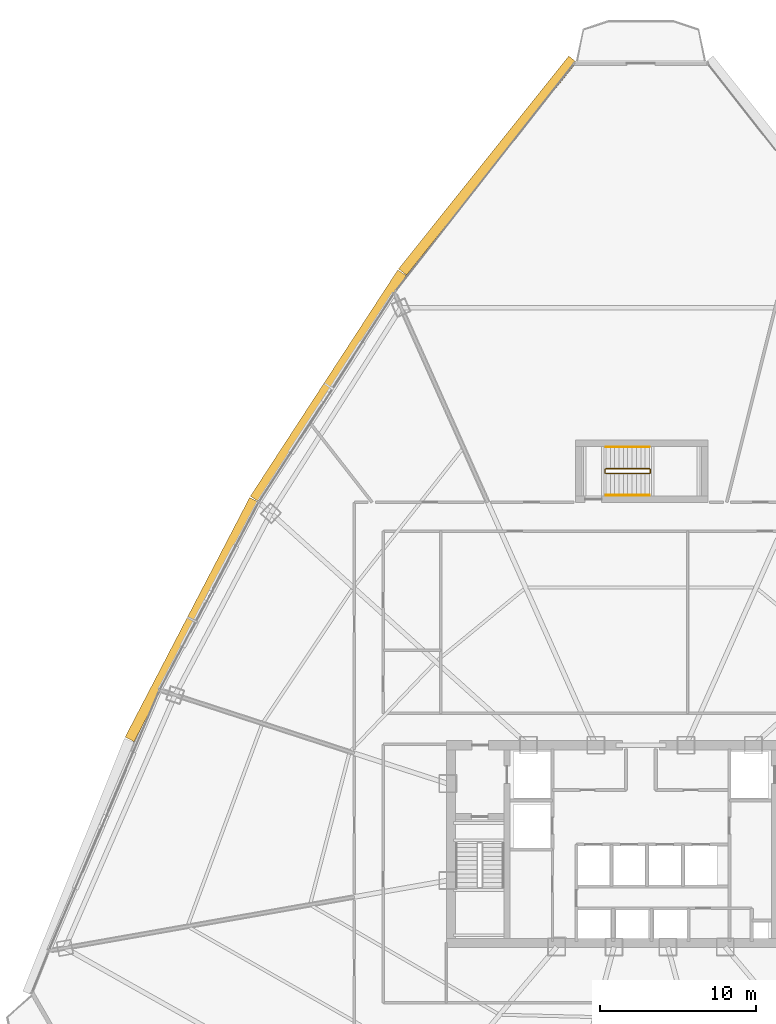
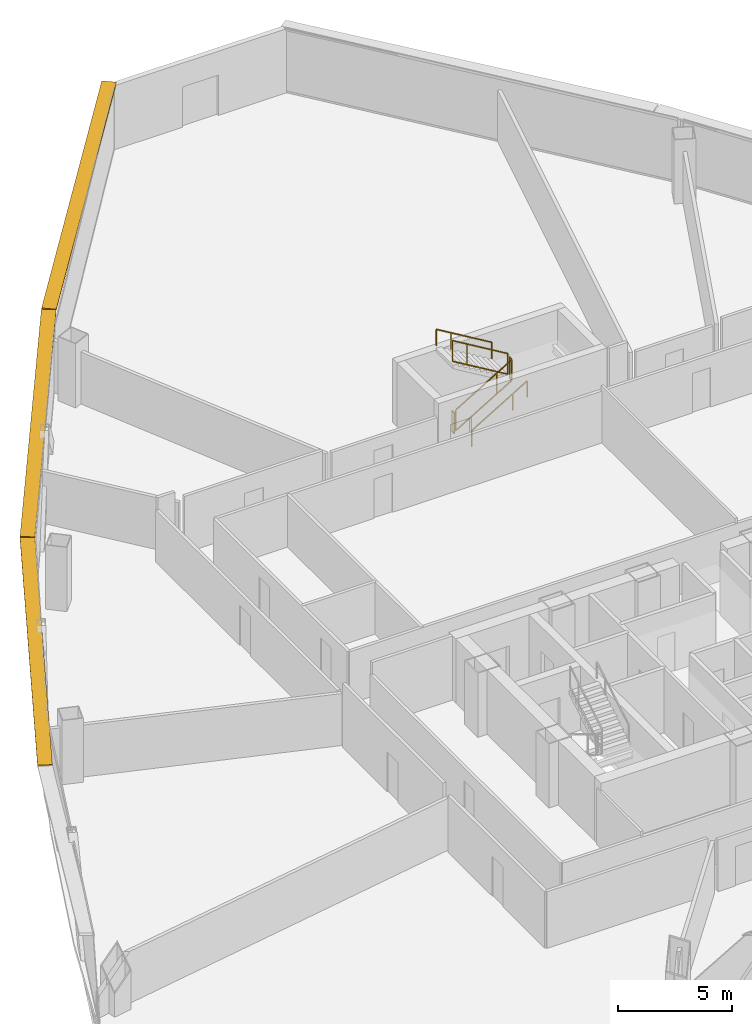
# One storey, part 38 of 39: 6 railings, 3 shading devices.
"""IFC4 building model written with IfcOpenShell, lengths in metres."""

from ifc_helpers import new_model, si_unit, direction, frame, origin, origin_2d, place, context, subcontext, project, spatial, rectangle, extrude, source, transform, mapped, material, layer, layer_set, type_object, element, save


model = new_model("IFC4")

# Units and contexts
model_context = context("Model", 3, precision=1e-05, world=origin(), true_north=direction((0.0, 1.0)))
body_context = subcontext(model_context, "Body", "Model", "MODEL_VIEW")
ifc_project = project(units=[si_unit("LENGTHUNIT", "METRE"), si_unit("AREAUNIT", "SQUARE_METRE"), si_unit("VOLUMEUNIT", "CUBIC_METRE"), si_unit("PLANEANGLEUNIT", "RADIAN"), si_unit("MASSUNIT", "GRAM", prefix="KILO"), si_unit("THERMODYNAMICTEMPERATUREUNIT", "KELVIN"), si_unit("POWERUNIT", "WATT")], contexts=[model_context])

# Site, building, storey
site_placement = place(None, origin())
site = spatial("IfcSite", under=ifc_project, at=site_placement, CompositionType="ELEMENT")
building_placement = place(site_placement, origin())
building = spatial("IfcBuilding", under=site, at=building_placement, Name="Yunzhuo Pagoda Commons", CompositionType="ELEMENT")
storey_placement = place(building_placement, frame((0.0, 0.0, 162.949951171875)))
storey = spatial("IfcBuildingStorey", under=building, at=storey_placement, Name="L41", CompositionType="ELEMENT", Elevation=162.949951171875)

# Railings
ifc_material = material(Name="Anodized aluminium 6063-T6", Category="aluminium")
railing_type_1 = type_object("IfcRailingType", Name="GR-ST3 North Well Guardrail 1155", PredefinedType="GUARDRAIL", material=ifc_material)
railing_1_placement = place(storey_placement, frame((45.75, 57.64990234375, 0.167236328125)))
element("IfcRailing", 1, at=railing_1_placement, inside=storey, type_object=railing_type_1, Name="L41 ST3 stair guard 1", PredefinedType="GUARDRAIL", context=body_context, shape_type="SweptSolid", body=[
    extrude(rectangle(XDim=0.048095703125, YDim=0.048095703125, at=origin_2d()), frame((0.0, 0.0, 1.1259765625), z_axis=(0.858462256164, 0.0, 0.512876744201), x_axis=(0.0, 1.0, 0.0)), (0.0, 0.0, 1.0), 3.26171875),
    extrude(rectangle(XDim=0.048095703125, YDim=0.048095703125, at=origin_2d()), frame((0.0, 0.0, 0.02392578125), z_axis=(0.858462256164, 0.0, 0.512876744201), x_axis=(0.0, 1.0, 0.0)), (0.0, 0.0, 1.0), 3.26171875),
    extrude(rectangle(XDim=0.0419921875, YDim=0.0419921875, at=origin_2d()), origin(), (0.0, 0.0, 1.0), 1.101806640625),
    extrude(rectangle(XDim=0.0419921875, YDim=0.0419921875, at=origin_2d()), frame((2.060302734375, 0.0, 1.23095703125)), (0.0, 0.0, 1.0), 1.101806640625),
    extrude(rectangle(XDim=0.0419921875, YDim=0.0419921875, at=origin_2d()), frame((2.800048828125, 0.0, 1.6728515625)), (0.0, 0.0, 1.0), 1.101806640625),
])
railing_2_placement = place(storey_placement, frame((48.60009765625, 57.699951171875, 1.840087890625)))
element("IfcRailing", 2, at=railing_2_placement, inside=storey, type_object=railing_type_1, Name="L41 ST3 stair guard 2", PredefinedType="GUARDRAIL", context=body_context, shape_type="SweptSolid", body=[
    extrude(rectangle(XDim=0.048095703125, YDim=0.048095703125, at=origin_2d()), frame((0.0, 0.0, 1.1259765625), z_axis=(0.0, 1.0, 0.0), x_axis=(-1.0, 0.0, 0.0)), (0.0, 0.0, 1.0), 0.199951171875),
    extrude(rectangle(XDim=0.048095703125, YDim=0.048095703125, at=origin_2d()), frame((0.0, 0.0, 0.02392578125), z_axis=(0.0, 1.0, 0.0), x_axis=(-1.0, 0.0, 0.0)), (0.0, 0.0, 1.0), 0.199951171875),
    extrude(rectangle(XDim=0.0419921875, YDim=0.0419921875, at=origin_2d()), origin(), (0.0, 0.0, 1.0), 1.101806640625),
    extrude(rectangle(XDim=0.0419921875, YDim=0.0419921875, at=origin_2d()), frame((0.0, 0.199951171875, 0.0)), (0.0, 0.0, 1.0), 1.101806640625),
])
railing_3_placement = place(storey_placement, frame((48.550048828125, 57.949951171875, 2.00732421875)))
element("IfcRailing", 3, at=railing_3_placement, inside=storey, type_object=railing_type_1, Name="L41 ST3 stair guard 3", PredefinedType="GUARDRAIL", context=body_context, shape_type="SweptSolid", body=[
    extrude(rectangle(XDim=0.048095703125, YDim=0.048095703125, at=origin_2d()), frame((0.0, 0.0, 1.1259765625), z_axis=(-0.858495211305, 0.0, 0.512821579271), x_axis=(0.0, -1.0, 0.0)), (0.0, 0.0, 1.0), 3.261474609375),
    extrude(rectangle(XDim=0.048095703125, YDim=0.048095703125, at=origin_2d()), frame((0.0, 0.0, 0.02392578125), z_axis=(-0.858495211305, 0.0, 0.512821579271), x_axis=(0.0, -1.0, 0.0)), (0.0, 0.0, 1.0), 3.261474609375),
    extrude(rectangle(XDim=0.0419921875, YDim=0.0419921875, at=origin_2d()), origin(), (0.0, 0.0, 1.0), 1.101806640625),
    extrude(rectangle(XDim=0.0419921875, YDim=0.0419921875, at=origin_2d()), frame((-2.060302734375, 0.0, 1.230712890625)), (0.0, 0.0, 1.0), 1.101806640625),
    extrude(rectangle(XDim=0.0419921875, YDim=0.0419921875, at=origin_2d()), frame((-2.800048828125, 0.0, 1.672607421875)), (0.0, 0.0, 1.0), 1.101806640625),
])
railing_4_placement = place(storey_placement, frame((45.699951171875, 57.699951171875, 0.0)))
element("IfcRailing", 4, at=railing_4_placement, inside=storey, type_object=railing_type_1, Name="L41 ST3 stair guard 4", PredefinedType="GUARDRAIL", context=body_context, shape_type="SweptSolid", body=[
    extrude(rectangle(XDim=0.048095703125, YDim=0.048095703125, at=origin_2d()), frame((0.0, 0.0, 1.1259765625), z_axis=(0.0, 1.0, 0.0), x_axis=(-1.0, 0.0, 0.0)), (0.0, 0.0, 1.0), 0.199951171875),
    extrude(rectangle(XDim=0.048095703125, YDim=0.048095703125, at=origin_2d()), frame((0.0, 0.0, 0.02392578125), z_axis=(0.0, 1.0, 0.0), x_axis=(-1.0, 0.0, 0.0)), (0.0, 0.0, 1.0), 0.199951171875),
    extrude(rectangle(XDim=0.0419921875, YDim=0.0419921875, at=origin_2d()), origin(), (0.0, 0.0, 1.0), 1.101806640625),
    extrude(rectangle(XDim=0.0419921875, YDim=0.0419921875, at=origin_2d()), frame((0.0, 0.199951171875, 0.0)), (0.0, 0.0, 1.0), 1.101806640625),
])
railing_type_2 = type_object("IfcRailingType", Name="HR-ST3 North Stair Handrail 900", PredefinedType="HANDRAIL", material=ifc_material)
railing_5_placement = place(storey_placement, frame((45.75, 56.25, 0.167236328125)))
element("IfcRailing", 5, at=railing_5_placement, inside=storey, type_object=railing_type_2, Name="L41 ST3 stair handrail 1", PredefinedType="HANDRAIL", context=body_context, shape_type="SweptSolid", body=[
    extrude(rectangle(XDim=0.048095703125, YDim=0.048095703125, at=origin_2d()), frame((0.0, 0.0, 0.8759765625), z_axis=(0.858462256164, 0.0, 0.512876744201), x_axis=(0.0, 1.0, 0.0)), (0.0, 0.0, 1.0), 3.26171875),
    extrude(rectangle(XDim=0.0419921875, YDim=0.0419921875, at=origin_2d()), origin(), (0.0, 0.0, 1.0), 0.851806640625),
    extrude(rectangle(XDim=0.0419921875, YDim=0.0419921875, at=origin_2d()), frame((2.060302734375, 0.0, 1.23095703125)), (0.0, 0.0, 1.0), 0.851806640625),
    extrude(rectangle(XDim=0.0419921875, YDim=0.0419921875, at=origin_2d()), frame((2.800048828125, 0.0, 1.6728515625)), (0.0, 0.0, 1.0), 0.851806640625),
])
railing_6_placement = place(storey_placement, frame((48.550048828125, 59.35009765625, 2.00732421875)))
element("IfcRailing", 6, at=railing_6_placement, inside=storey, type_object=railing_type_2, Name="L41 ST3 stair handrail 2", PredefinedType="HANDRAIL", context=body_context, shape_type="SweptSolid", body=[
    extrude(rectangle(XDim=0.048095703125, YDim=0.048095703125, at=origin_2d()), frame((0.0, 0.0, 0.8759765625), z_axis=(-0.858495211305, 0.0, 0.512821579271), x_axis=(0.0, -1.0, 0.0)), (0.0, 0.0, 1.0), 3.261474609375),
    extrude(rectangle(XDim=0.0419921875, YDim=0.0419921875, at=origin_2d()), origin(), (0.0, 0.0, 1.0), 0.851806640625),
    extrude(rectangle(XDim=0.0419921875, YDim=0.0419921875, at=origin_2d()), frame((-2.060302734375, 0.0, 1.230712890625)), (0.0, 0.0, 1.0), 0.851806640625),
    extrude(rectangle(XDim=0.0419921875, YDim=0.0419921875, at=origin_2d()), frame((-2.800048828125, 0.0, 1.672607421875)), (0.0, 0.0, 1.0), 0.851806640625),
])

# Shading devices
ifc_layer = layer(ifc_material, 0.080078125)
ifc_layer_set = layer_set([ifc_layer], Name="Anodized aluminium 6063-T6")
shading_device_type = type_object("IfcShadingDeviceType", Name="SH-SUN1 Pagoda Horizontal Sunshade Eave 650", PredefinedType="USERDEFINED", material=ifc_layer_set)
shared_shape_1 = source(origin(), body_context, "Body", "SweptSolid", [
    extrude(rectangle(XDim=17.338134765625, YDim=0.64990234375, at=origin_2d()), origin(), (0.0, 0.0, 1.0), 0.080078125),
])
for number, where, z_axis, x_axis, name in (
    (7, (27.918701171875, 63.2763671875, 3.340087890625), (0.0, 0.0, 1.0), (-0.545853380833, -0.837880711458, 0.0), "L41 horizontal pagoda sunshade eave F3.2"),
    (8, (19.156494140625, 48.265625, 3.340087890625), (0.0, 0.0, 1.0), (-0.461206683033, -0.88729273384, 0.0), "L41 horizontal pagoda sunshade eave F3.3"),
):
    element("IfcShadingDevice", number, at=place(storey_placement, frame(where, z_axis=z_axis, x_axis=x_axis)), inside=storey, type_object=shading_device_type, Name=name, ObjectType="SUNSHADE", PredefinedType="USERDEFINED", context=body_context, shape_type="MappedRepresentation", body=[
        mapped(shared_shape_1, transform((0.0, 0.0, 0.0), scale=1.0)),
    ])
shared_shape_2 = source(origin(), body_context, "Body", "SweptSolid", [
    extrude(rectangle(XDim=17.504150390625, YDim=0.64990234375, at=origin_2d()), origin(), (0.0, 0.0, 1.0), 0.080078125),
])
shading_device_placement = place(storey_placement, frame((38.153564453125, 77.4267578125, 3.340087890625), z_axis=(0.0, 0.0, 1.0), x_axis=(-0.624520471688, -0.781008438138, 0.0)))
element("IfcShadingDevice", 9, at=shading_device_placement, inside=storey, type_object=shading_device_type, Name="L41 horizontal pagoda sunshade eave F3.1", ObjectType="SUNSHADE", PredefinedType="USERDEFINED", context=body_context, shape_type="MappedRepresentation", body=[
    mapped(shared_shape_2, transform((0.0, 0.0, 0.0), scale=1.0)),
])

save(model, "model.ifc")
